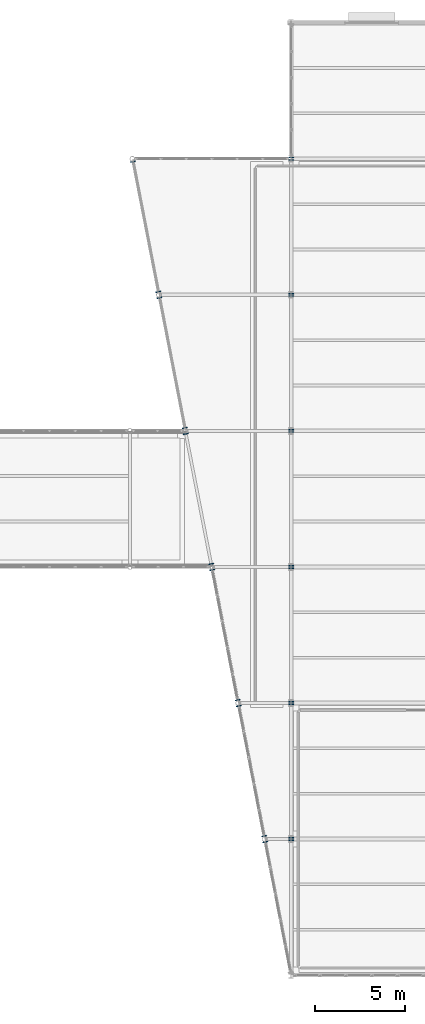
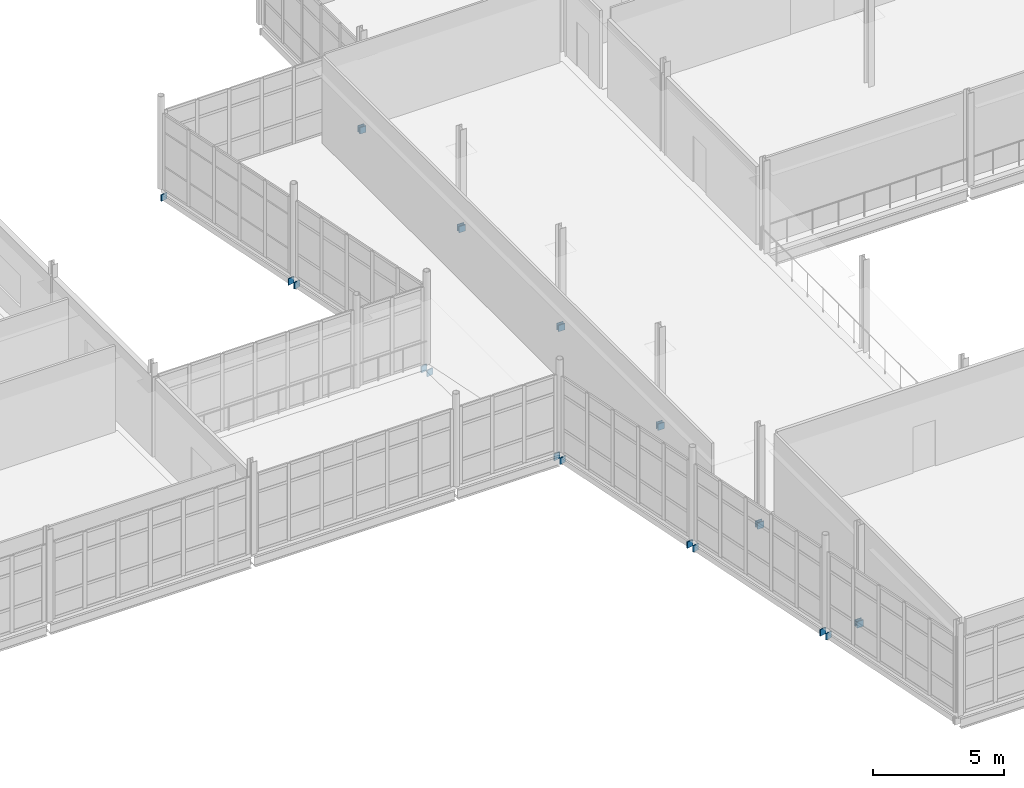
# One storey, part 149 of 174: 23 plates.
"""IFC4 building model written with IfcOpenShell, lengths in metres."""

from ifc_helpers import new_model, si_unit, direction, frame, origin, origin_2d, place, context, subcontext, project, spatial, rectangle, extrude, material, layer, layer_set, type_object, element, save


model = new_model("IFC4")

# Units and contexts
model_context = context("Model", 3, precision=1e-05, world=origin(), true_north=direction((0.0, 1.0)))
body_context = subcontext(model_context, "Body", "Model", "MODEL_VIEW")
ifc_project = project(units=[si_unit("LENGTHUNIT", "METRE"), si_unit("AREAUNIT", "SQUARE_METRE"), si_unit("VOLUMEUNIT", "CUBIC_METRE"), si_unit("PLANEANGLEUNIT", "RADIAN"), si_unit("MASSUNIT", "GRAM", prefix="KILO")], contexts=[model_context])

# Site, building, storey
site_placement = place(None, origin())
site = spatial("IfcSite", under=ifc_project, at=site_placement, CompositionType="ELEMENT")
building_placement = place(site_placement, origin())
building = spatial("IfcBuilding", under=site, at=building_placement, Name="Caisbarro Railhouse Central Library", CompositionType="ELEMENT")
storey_placement = place(building_placement, frame((0.0, 0.0, 5.0400390625)))
storey = spatial("IfcBuildingStorey", under=building, at=storey_placement, Name="L01", CompositionType="ELEMENT", Elevation=5.0400390625)

# Plates
ifc_material = material(Name="Steel ASTM A572 Grade 50", Category="steel")
ifc_layer = layer(ifc_material, 0.044921875, Name="Steel ASTM A572 Grade 50")
ifc_layer_set = layer_set([ifc_layer], Name="Steel ASTM A572 Grade 50")
plate_type = type_object("IfcPlateType", Name="PLT-EP01", PredefinedType="SHEET", material=ifc_layer_set)
for number, where, z_axis, x_axis, name in (
    (1, (117.0, 68.33203125, -0.52001953125), (0.0, 0.0, 1.0), (0.0, 1.0, 0.0), "EP01 end cap plate"),
    (2, (117.0, 68.468017578125, -0.52001953125), (0.0, 0.0, 1.0), (0.0, 1.0, 0.0), "EP01 end cap plate"),
    (3, (117.0, 75.931884765625, -0.52001953125), (0.0, 0.0, 1.0), (0.0, 1.0, 0.0), "EP01 end cap plate"),
    (4, (117.0, 76.068115234375, -0.52001953125), (0.0, 0.0, 1.0), (0.0, 1.0, 0.0), "EP01 end cap plate"),
    (5, (117.0, 83.531982421875, -0.52001953125), (0.0, 0.0, 1.0), (0.0, 1.0, 0.0), "EP01 end cap plate"),
    (6, (117.0, 83.66796875, -0.52001953125), (0.0, 0.0, 1.0), (0.0, 1.0, 0.0), "EP01 end cap plate"),
    (7, (117.0, 91.132080078125, -0.52001953125), (0.0, 0.0, 1.0), (0.0, 1.0, 0.0), "EP01 end cap plate"),
    (8, (117.0, 91.26806640625, -0.52001953125), (0.0, 0.0, 1.0), (0.0, 1.0, 0.0), "EP01 end cap plate"),
    (9, (117.0, 98.73193359375, -0.52001953125), (0.0, 0.0, 1.0), (0.0, 1.0, 0.0), "EP01 end cap plate"),
    (10, (117.0, 98.867919921875, -0.52001953125), (0.0, 0.0, 1.0), (0.0, 1.0, 0.0), "EP01 end cap plate"),
    (11, (117.0, 106.33203125, -0.52001953125), (0.0, 0.0, 1.0), (0.0, 1.0, 0.0), "EP01 end cap plate"),
    (12, (117.0, 106.468017578125, -0.52001953125), (0.0, 0.0, 1.0), (0.0, 1.0, 0.0), "EP01 end cap plate"),
    (13, (115.554931640625, 68.235107421875, -0.4951171875), (0.0, 0.0, 1.0), (-0.190808995377, 0.981627183448, 0.0), "EP01 end cap plate"),
    (14, (115.490966796875, 68.56494140625, -0.4951171875), (0.0, 0.0, 1.0), (-0.190808995377, 0.981627183448, 0.0), "EP01 end cap plate"),
    (15, (114.0771484375, 75.8349609375, -0.4951171875), (0.0, 0.0, 1.0), (-0.190808995377, 0.981627183448, 0.0), "EP01 end cap plate"),
    (16, (114.012939453125, 76.1650390625, -0.4951171875), (0.0, 0.0, 1.0), (-0.190808995377, 0.981627183448, 0.0), "EP01 end cap plate"),
    (17, (112.60009765625, 83.43505859375, -0.4951171875), (0.0, 0.0, 1.0), (-0.190808995377, 0.981627183448, 0.0), "EP01 end cap plate"),
    (18, (112.535888671875, 83.764892578125, -0.4951171875), (0.0, 0.0, 1.0), (-0.190808995377, 0.981627183448, 0.0), "EP01 end cap plate"),
    (19, (111.123046875, 91.03515625, -0.4951171875), (0.0, 0.0, 1.0), (-0.190808995377, 0.981627183448, 0.0), "EP01 end cap plate"),
    (20, (111.05908203125, 91.364990234375, -0.4951171875), (0.0, 0.0, 1.0), (-0.190808995377, 0.981627183448, 0.0), "EP01 end cap plate"),
    (21, (109.64599609375, 98.635009765625, -0.4951171875), (0.0, 0.0, 1.0), (-0.190808995377, 0.981627183448, 0.0), "EP01 end cap plate"),
    (22, (109.581787109375, 98.96484375, -0.4951171875), (0.0, 0.0, 1.0), (-0.190808995377, 0.981627183448, 0.0), "EP01 end cap plate"),
    (23, (108.168212890625, 106.235107421875, -0.4951171875), (0.0, 0.0, 1.0), (-0.190808995377, 0.981627183448, 0.0), "EP01 end cap plate"),
):
    element("IfcPlate", number, at=place(storey_placement, frame(where, z_axis=z_axis, x_axis=x_axis)), inside=storey, type_object=plate_type, Name=name, PredefinedType="SHEET", context=body_context, shape_type="SweptSolid", body=[
        extrude(rectangle(XDim=0.044921875, YDim=0.280029296875, at=origin_2d()), origin(), (0.0, 0.0, 1.0), 0.300048828125),
    ])

save(model, "model.ifc")
